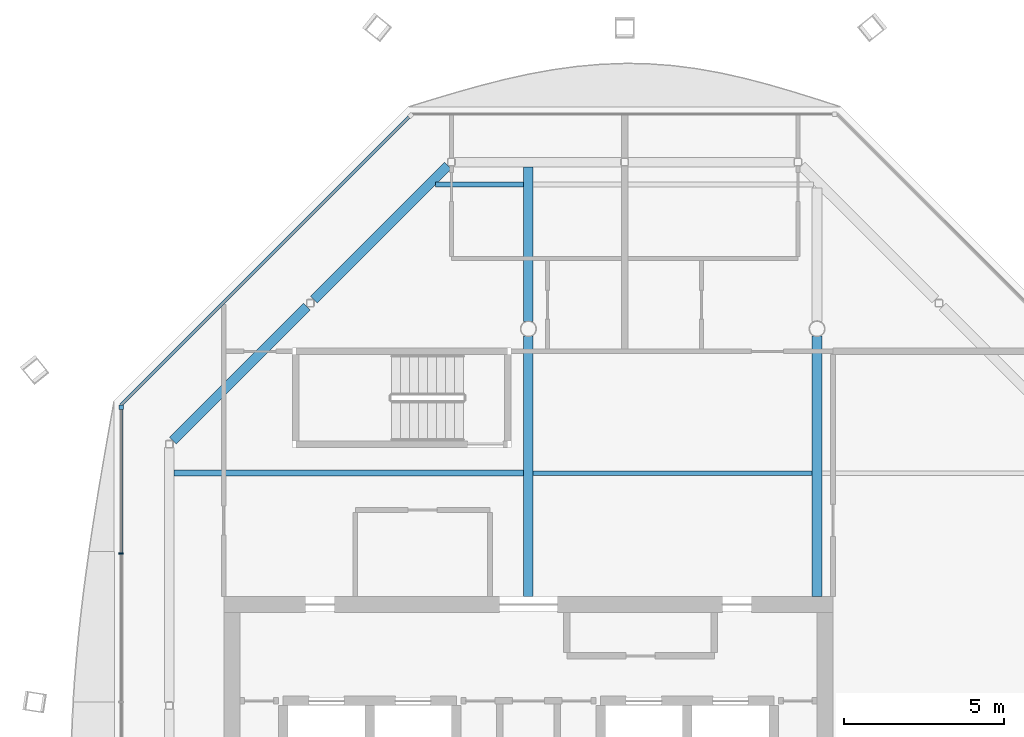
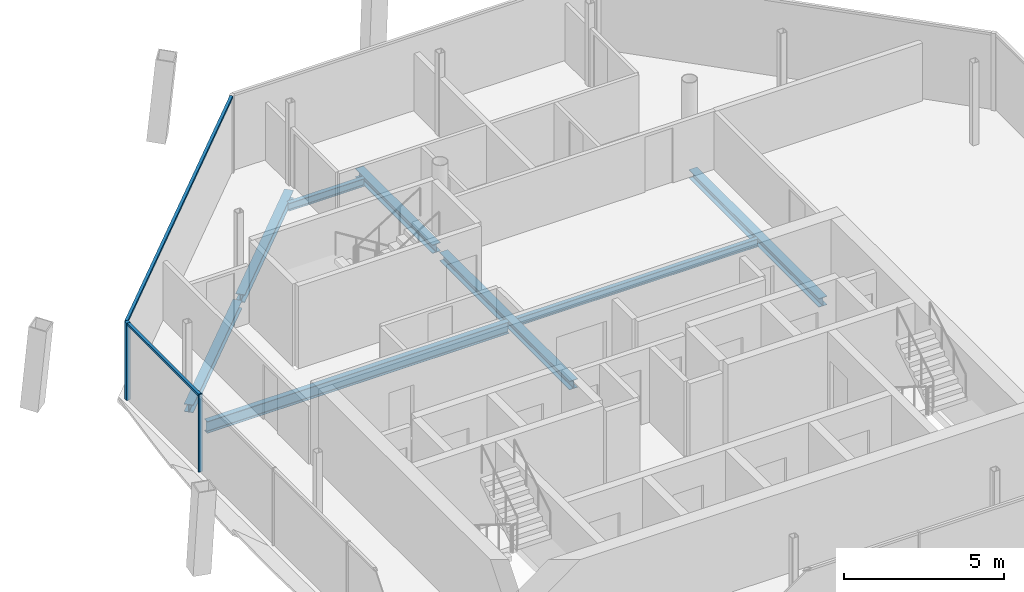
# One storey, part 5 of 13: 8 beams, 4 members, 2 elements without a shape of their own.
"""IFC4 building model written with IfcOpenShell, lengths in metres."""

from ifc_helpers import new_model, si_unit, direction, frame, origin, origin_2d, place, context, subcontext, project, spatial, rectangle, i_section, extrude, material, material_profile, profile_set, type_object, element, aggregate, save


model = new_model("IFC4")

# Units and contexts
model_context = context("Model", 3, precision=1e-05, world=origin(), true_north=direction((0.0, 1.0)))
body_context = subcontext(model_context, "Body", "Model", "MODEL_VIEW")
ifc_project = project(units=[si_unit("LENGTHUNIT", "METRE"), si_unit("AREAUNIT", "SQUARE_METRE"), si_unit("VOLUMEUNIT", "CUBIC_METRE"), si_unit("PLANEANGLEUNIT", "RADIAN"), si_unit("MASSUNIT", "GRAM", prefix="KILO")], contexts=[model_context])

# Site, building, storey
site_placement = place(None, origin())
site = spatial("IfcSite", under=ifc_project, at=site_placement, CompositionType="ELEMENT")
building_placement = place(site_placement, origin())
building = spatial("IfcBuilding", under=site, at=building_placement, Name="Tskaro Facet Tower", CompositionType="ELEMENT")
storey_placement = place(building_placement, frame((0.0, 0.0, 284.699951171875)))
storey = spatial("IfcBuildingStorey", under=building, at=storey_placement, Name="L76", CompositionType="ELEMENT", Elevation=284.699951171875)

# Curtain wall, members
ifc_material_1 = material(Name="Bronze anodised aluminium 6063-T6", Category="aluminium")
curtain_wall_type = type_object("IfcCurtainWallType", Name="Bronze residence curtain wall (FW3)", PredefinedType="NOTDEFINED", material=ifc_material_1)
curtain_wall_1_placement = place(storey_placement, origin())
curtain_wall_1 = element("IfcCurtainWall", 1, at=curtain_wall_1_placement, inside=storey, type_object=curtain_wall_type, Name="FW3 west facet L76", PredefinedType="NOTDEFINED")
ifc_material_profile_1 = material_profile(ifc_material_1, rectangle(XDim=0.139892578125, YDim=0.139892578125, at=origin_2d()), Name="Corner post 140x140")
ifc_profile_set_1 = profile_set([ifc_material_profile_1], Name="Bronze anodised aluminium 6063-T6")
member_type_1 = type_object("IfcMemberType", Name="FW3 bronze corner post 140x140", PredefinedType="MULLION", material=ifc_profile_set_1)
member_1_placement = place(storey_placement, frame((-12.697998046875, 6.555908203125, 0.0), z_axis=(0.0, 0.0, 1.0), x_axis=(0.0, -1.0, 0.0)))
member_1 = element("IfcMember", 2, at=member_1_placement, type_object=member_type_1, Name="FW3 west corner post", PredefinedType="MULLION", context=body_context, shape_type="SweptSolid", body=[
    extrude(rectangle(XDim=0.139892578125, YDim=0.139892578125, at=origin_2d()), origin(), (0.0, 0.0, 1.0), 2.949951171875),
])
ifc_material_profile_2 = material_profile(ifc_material_1, rectangle(XDim=0.050048828125, YDim=0.139892578125, at=origin_2d()), Name="Mullion 50x140")
ifc_profile_set_2 = profile_set([ifc_material_profile_2], Name="Bronze anodised aluminium 6063-T6")
member_type_2 = type_object("IfcMemberType", Name="FW3 bronze mullion 50x140", PredefinedType="MULLION", material=ifc_profile_set_2)
member_2_placement = place(storey_placement, frame((-12.697998046875, 1.997802734375, 0.0), z_axis=(0.0, 0.0, 1.0), x_axis=(0.0, -1.0, 0.0)))
member_2 = element("IfcMember", 3, at=member_2_placement, type_object=member_type_2, Name="FW3 west mullion 1", PredefinedType="MULLION", context=body_context, shape_type="SweptSolid", body=[
    extrude(rectangle(XDim=0.050048828125, YDim=0.139892578125, at=origin_2d()), origin(), (0.0, 0.0, 1.0), 2.949951171875),
])

# Curtain wall, member
curtain_wall_2_placement = place(storey_placement, origin())
curtain_wall_2 = element("IfcCurtainWall", 4, at=curtain_wall_2_placement, inside=storey, type_object=curtain_wall_type, Name="FW3 north-west facet L76", PredefinedType="NOTDEFINED")
ifc_material_profile_3 = material_profile(ifc_material_1, rectangle(XDim=0.10009765625, YDim=0.090087890625, at=origin_2d()), Name="Transom 100x90")
ifc_profile_set_3 = profile_set([ifc_material_profile_3], Name="Bronze anodised aluminium 6063-T6")
member_type_3 = type_object("IfcMemberType", Name="FW3 bronze transom 100x90", PredefinedType="USERDEFINED", material=ifc_profile_set_3)
member_3_placement = place(storey_placement, frame((-3.72509765625, 15.59912109375, 2.905029296875), z_axis=(-0.707097161537, -0.707116400705, 0.0), x_axis=(0.707116400705, -0.707097161537, 0.0)))
member_3 = element("IfcMember", 5, at=member_3_placement, type_object=member_type_3, Name="FW3 north-west transom 1.1", ObjectType="TRANSOM", PredefinedType="USERDEFINED", context=body_context, shape_type="SweptSolid", body=[
    extrude(rectangle(XDim=0.10009765625, YDim=0.090087890625, at=origin_2d()), origin(), (0.0, 0.0, 1.0), 12.689697265625),
])
aggregate(curtain_wall_2, [member_3])

# Member
member_4_placement = place(storey_placement, frame((-12.697998046875, 6.486083984375, 2.905029296875), z_axis=(0.0, -1.0, 0.0), x_axis=(1.0, 0.0, 0.0)))
member_4 = element("IfcMember", 6, at=member_4_placement, type_object=member_type_3, Name="FW3 west transom 1.1", ObjectType="TRANSOM", PredefinedType="USERDEFINED", context=body_context, shape_type="SweptSolid", body=[
    extrude(rectangle(XDim=0.10009765625, YDim=0.090087890625, at=origin_2d()), origin(), (0.0, 0.0, 1.0), 4.46337890625),
])

aggregate(curtain_wall_1, [member_1, member_2, member_4])

# Beams
ifc_material_2 = material(Name="Steel S355J2", Category="steel")
ifc_material_profile_4 = material_profile(ifc_material_2, i_section(OverallWidth=0.300048828125, OverallDepth=0.300048828125, WebThickness=0.010986328125, FlangeThickness=0.01904296875, FilletRadius=0.027099609375, at=origin_2d()), Name="HE 300 B")
ifc_profile_set_4 = profile_set([ifc_material_profile_4], Name="Steel S355J2")
beam_type_1 = type_object("IfcBeamType", Name="HE 300 B ring beam", PredefinedType="BEAM", material=ifc_profile_set_4)
for number, where, z_axis, x_axis, name in (
    (7, (-2.513916015625, 14.089111328125, -0.2900390625), (-0.707024112481, -0.707189440228, 0.0), (0.707189440228, -0.707024112481, 0.0), "HE 300 B EB11-6"),
    (8, (-6.911865234375, 9.690185546875, -0.2900390625), (-0.707189440228, -0.707024112481, 0.0), (0.707024112481, -0.707189440228, 0.0), "HE 300 B EB12-6"),
):
    element("IfcBeam", number, at=place(storey_placement, frame(where, z_axis=z_axis, x_axis=x_axis)), inside=storey, type_object=beam_type_1, Name=name, PredefinedType="BEAM", context=body_context, shape_type="SweptSolid", body=[
        extrude(i_section(OverallWidth=0.300048828125, OverallDepth=0.300048828125, WebThickness=0.010986328125, FlangeThickness=0.01904296875, FilletRadius=0.027099609375, at=origin_2d()), origin(), (0.0, 0.0, 1.0), 5.90673828125),
    ])
ifc_material_profile_5 = material_profile(ifc_material_2, i_section(OverallWidth=0.300048828125, OverallDepth=0.330078125, WebThickness=0.009521484375, FlangeThickness=0.0166015625, FilletRadius=0.027099609375, at=origin_2d()), Name="HE 340 A")
ifc_profile_set_5 = profile_set([ifc_material_profile_5], Name="Steel S355J2")
beam_type_2 = type_object("IfcBeamType", Name="HE 340 A girder", PredefinedType="BEAM", material=ifc_profile_set_5)
beam_1_placement = place(storey_placement, frame((0.0, 0.64990234375, -0.304931640625), z_axis=(0.0, 1.0, 0.0), x_axis=(-1.0, 0.0, 0.0)))
element("IfcBeam", 9, at=beam_1_placement, inside=storey, type_object=beam_type_2, Name="HE 340 A GB4-2-6", PredefinedType="BEAM", context=body_context, shape_type="SweptSolid", body=[
    extrude(i_section(OverallWidth=0.300048828125, OverallDepth=0.330078125, WebThickness=0.009521484375, FlangeThickness=0.0166015625, FilletRadius=0.027099609375, at=origin_2d()), origin(), (0.0, 0.0, 1.0), 8.1259765625),
])
beam_2_placement = place(storey_placement, frame((0.0, 9.22412109375, -0.304931640625), z_axis=(0.0, 1.0, 0.0), x_axis=(-1.0, 0.0, 0.0)))
element("IfcBeam", 10, at=beam_2_placement, inside=storey, type_object=beam_type_2, Name="HE 340 A GB4-3-6", PredefinedType="BEAM", context=body_context, shape_type="SweptSolid", body=[
    extrude(i_section(OverallWidth=0.300048828125, OverallDepth=0.330078125, WebThickness=0.009521484375, FlangeThickness=0.0166015625, FilletRadius=0.027099609375, at=origin_2d()), origin(), (0.0, 0.0, 1.0), 4.825927734375),
])
beam_3_placement = place(storey_placement, frame((9.0, 0.64990234375, -0.304931640625), z_axis=(0.0, 1.0, 0.0), x_axis=(-1.0, 0.0, 0.0)))
element("IfcBeam", 11, at=beam_3_placement, inside=storey, type_object=beam_type_2, Name="HE 340 A GB5-2-6", PredefinedType="BEAM", context=body_context, shape_type="SweptSolid", body=[
    extrude(i_section(OverallWidth=0.300048828125, OverallDepth=0.330078125, WebThickness=0.009521484375, FlangeThickness=0.0166015625, FilletRadius=0.027099609375, at=origin_2d()), origin(), (0.0, 0.0, 1.0), 8.1259765625),
])
ifc_material_profile_6 = material_profile(ifc_material_2, i_section(OverallWidth=0.14990234375, OverallDepth=0.300048828125, WebThickness=0.007080078125, FlangeThickness=0.0107421875, FilletRadius=0.014892578125, at=origin_2d()), Name="IPE 300")
ifc_profile_set_6 = profile_set([ifc_material_profile_6], Name="Steel S355J2")
beam_type_3 = type_object("IfcBeamType", Name="IPE 300 secondary beam", PredefinedType="BEAM", material=ifc_profile_set_6)
beam_4_placement = place(storey_placement, frame((0.14990234375, 4.5, -0.2900390625), z_axis=(1.0, 0.0, 0.0), x_axis=(0.0, 1.0, 0.0)))
element("IfcBeam", 12, at=beam_4_placement, inside=storey, type_object=beam_type_3, Name="IPE 300 SB4a-2-6", PredefinedType="BEAM", context=body_context, shape_type="SweptSolid", body=[
    extrude(i_section(OverallWidth=0.14990234375, OverallDepth=0.300048828125, WebThickness=0.007080078125, FlangeThickness=0.0107421875, FilletRadius=0.014892578125, at=origin_2d()), origin(), (0.0, 0.0, 1.0), 8.7001953125),
])
beam_5_placement = place(storey_placement, frame((-2.89111328125, 13.5, -0.2900390625), z_axis=(1.0, 0.0, 0.0), x_axis=(0.0, 1.0, 0.0)))
element("IfcBeam", 13, at=beam_5_placement, inside=storey, type_object=beam_type_3, Name="IPE 300 SB5a-1-6", PredefinedType="BEAM", context=body_context, shape_type="SweptSolid", body=[
    extrude(i_section(OverallWidth=0.14990234375, OverallDepth=0.300048828125, WebThickness=0.007080078125, FlangeThickness=0.0107421875, FilletRadius=0.014892578125, at=origin_2d()), origin(), (0.0, 0.0, 1.0), 2.7412109375),
])
ifc_material_profile_7 = material_profile(ifc_material_2, i_section(OverallWidth=0.18994140625, OverallDepth=0.449951171875, WebThickness=0.009521484375, FlangeThickness=0.0146484375, FilletRadius=0.02099609375, at=origin_2d()), Name="IPE 450")
ifc_profile_set_7 = profile_set([ifc_material_profile_7], Name="Steel S355J2")
beam_type_4 = type_object("IfcBeamType", Name="IPE 450 long secondary beam", PredefinedType="BEAM", material=ifc_profile_set_7)
beam_6_placement = place(storey_placement, frame((-11.050048828125, 4.5, -0.364990234375), z_axis=(1.0, 0.0, 0.0), x_axis=(0.0, 1.0, 0.0)))
element("IfcBeam", 14, at=beam_6_placement, inside=storey, type_object=beam_type_4, Name="IPE 450 LSB4a-1-6", PredefinedType="BEAM", context=body_context, shape_type="SweptSolid", body=[
    extrude(i_section(OverallWidth=0.18994140625, OverallDepth=0.449951171875, WebThickness=0.009521484375, FlangeThickness=0.0146484375, FilletRadius=0.02099609375, at=origin_2d()), origin(), (0.0, 0.0, 1.0), 10.900146484375),
])

save(model, "model.ifc")
